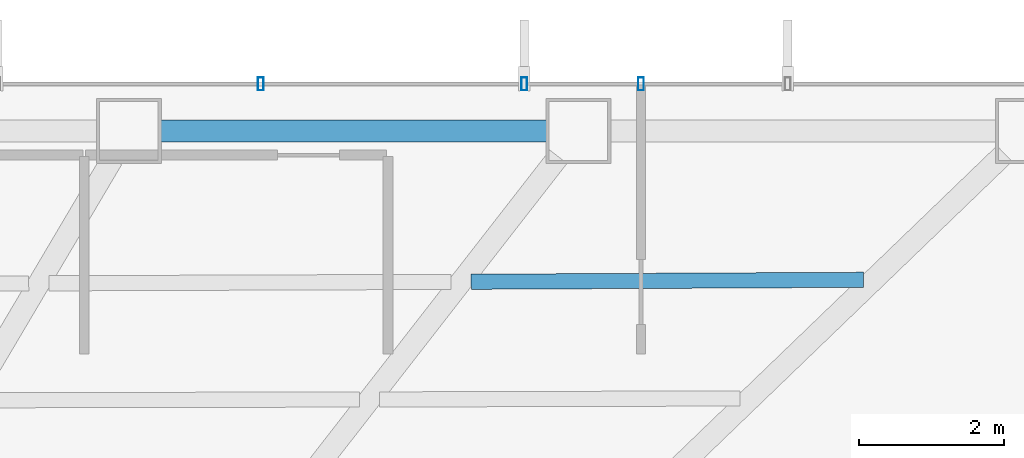
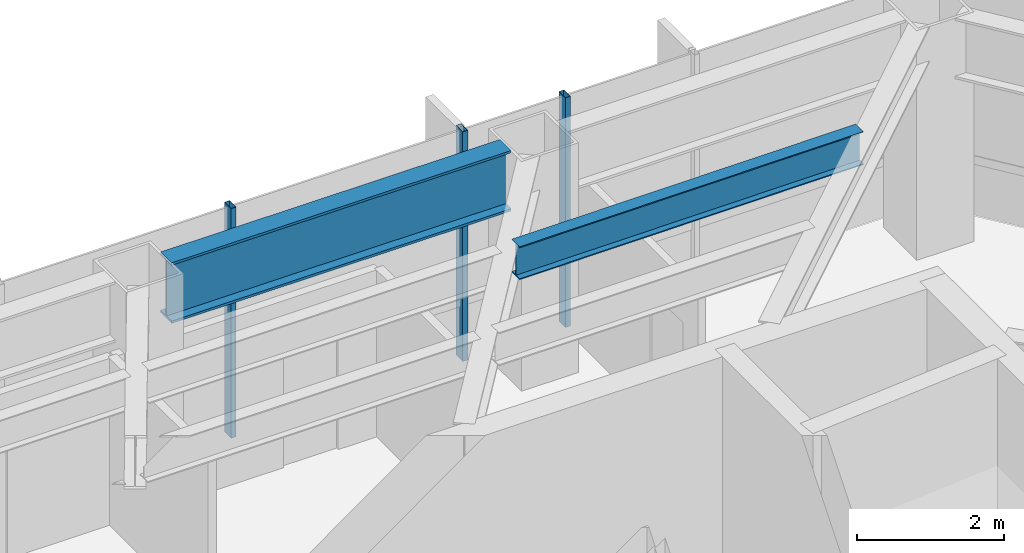
# One storey, part 13 of 24: 3 members, 2 beams, 1 element without a shape of its own.
"""IFC4 building model written with IfcOpenShell, lengths in metres."""

from ifc_helpers import new_model, si_unit, direction, frame, origin, origin_2d, place, context, subcontext, project, spatial, hollow_rectangle, i_section, extrude, material, layer, layer_set, material_profile, profile_set, type_object, element, aggregate, save


model = new_model("IFC4")

# Units and contexts
model_context = context("Model", 3, precision=1e-05, world=origin(), true_north=direction((0.0, 1.0)))
body_context = subcontext(model_context, "Body", "Model", "MODEL_VIEW")
ifc_project = project(units=[si_unit("LENGTHUNIT", "METRE"), si_unit("AREAUNIT", "SQUARE_METRE"), si_unit("VOLUMEUNIT", "CUBIC_METRE"), si_unit("PLANEANGLEUNIT", "RADIAN"), si_unit("MASSUNIT", "GRAM", prefix="KILO")], contexts=[model_context])

# Site, building, storey
site_placement = place(None, origin())
site = spatial("IfcSite", under=ifc_project, at=site_placement, CompositionType="ELEMENT")
building_placement = place(site_placement, origin())
building = spatial("IfcBuilding", under=site, at=building_placement, Name="Zarrinselat Tower", CompositionType="ELEMENT")
storey_placement = place(building_placement, frame((0.0, 0.0, 72.419921875)))
storey = spatial("IfcBuildingStorey", under=building, at=storey_placement, Name="L17", CompositionType="ELEMENT", Elevation=72.419921875)

# Beams
ifc_material_1 = material(Name="Steel S460M", Category="steel")
ifc_material_profile_1 = material_profile(ifc_material_1, i_section(OverallWidth=0.302001953125, OverallDepth=1.008056640625, WebThickness=0.02099609375, FlangeThickness=0.0400390625, at=origin_2d()), Name="HEM 1000")
ifc_profile_set_1 = profile_set([ifc_material_profile_1], Name="Steel S460M")
beam_type_1 = type_object("IfcBeamType", Name="BM-HEM1000", PredefinedType="BEAM", material=ifc_profile_set_1)
beam_1_placement = place(storey_placement, frame((39.455078125, 49.083251953125, 3.316162109375), z_axis=(1.0, 0.0, 0.0), x_axis=(0.0, 1.0, 0.0)))
element("IfcBeam", 1, at=beam_1_placement, inside=storey, type_object=beam_type_1, Name="L17 Perimeter Spandrel Girder SP02", PredefinedType="BEAM", context=body_context, shape_type="SweptSolid", body=[
    extrude(i_section(OverallWidth=0.302001953125, OverallDepth=1.008056640625, WebThickness=0.02099609375, FlangeThickness=0.0400390625, at=origin_2d()), origin(), (0.0, 0.0, 1.0), 5.342041015625),
])
ifc_material_2 = material(Name="Steel S355J2", Category="steel")
ifc_material_profile_2 = material_profile(ifc_material_2, i_section(OverallWidth=0.2099609375, OverallDepth=0.550048828125, WebThickness=0.010986328125, FlangeThickness=0.01708984375, at=origin_2d()), Name="IPE 550")
ifc_profile_set_2 = profile_set([ifc_material_profile_2], Name="Steel S355J2")
beam_type_2 = type_object("IfcBeamType", Name="BM-IPE550", PredefinedType="JOIST", material=ifc_profile_set_2)
beam_2_placement = place(storey_placement, frame((43.751953125, 46.997802734375, 3.545166015625), z_axis=(0.999987520479, 0.004995886883, 0.0), x_axis=(-0.004995886883, 0.999987520479, 0.0)))
element("IfcBeam", 2, at=beam_2_placement, inside=storey, type_object=beam_type_2, Name="L17 Composite Floor Joist 7-1", PredefinedType="JOIST", context=body_context, shape_type="SweptSolid", body=[
    extrude(i_section(OverallWidth=0.2099609375, OverallDepth=0.550048828125, WebThickness=0.010986328125, FlangeThickness=0.01708984375, at=origin_2d()), origin(), (0.0, 0.0, 1.0), 5.42431640625),
])

# Curtain wall, members
ifc_material_3 = material(Name="Extruded Aluminium Alloy EN AW-6063 T6", Category="aluminium")
ifc_layer = layer(ifc_material_3, 0.18505859375)
ifc_layer_set = layer_set([ifc_layer], Name="Extruded Aluminium Alloy EN AW-6063 T6")
curtain_wall_type = type_object("IfcCurtainWallType", Name="CWS-OFF", PredefinedType="NOTDEFINED", material=ifc_layer_set)
curtain_wall_placement = place(storey_placement, origin())
curtain_wall = element("IfcCurtainWall", 3, at=curtain_wall_placement, inside=storey, type_object=curtain_wall_type, Name="L17 Unitised Curtain Wall CW-L17-E01", PredefinedType="NOTDEFINED")
ifc_material_4 = material(Name="Extruded Aluminium Alloy EN AW-6063 T6", Category="aluminium")
ifc_material_profile_3 = material_profile(ifc_material_4, hollow_rectangle(XDim=0.080078125, YDim=0.179931640625, WallThickness=0.0048828125, at=origin_2d()), Name="RHS 180x80x5")
ifc_profile_set_3 = profile_set([ifc_material_profile_3], Name="Extruded Aluminium Alloy EN AW-6063 T6")
member_type = type_object("IfcMemberType", Name="MEM-CW-MUL", PredefinedType="MULLION", material=ifc_profile_set_3)
member_1_placement = place(storey_placement, frame((46.10009765625, 49.7333984375, 0.0), z_axis=(0.0, 0.0, 1.0), x_axis=(-1.0, 0.0, 0.0)))
member_1 = element("IfcMember", 4, at=member_1_placement, type_object=member_type, Name="CW-L17-E01 Mullion 2", PredefinedType="MULLION", context=body_context, shape_type="SweptSolid", body=[
    extrude(hollow_rectangle(XDim=0.080078125, YDim=0.179931640625, WallThickness=0.0048828125, at=origin_2d()), origin(), (0.0, 0.0, 1.0), 3.820068359375),
])
member_2_placement = place(storey_placement, frame((44.4853515625, 49.7333984375, 0.0), z_axis=(0.0, 0.0, 1.0), x_axis=(-1.0, 0.0, 0.0)))
member_2 = element("IfcMember", 5, at=member_2_placement, type_object=member_type, Name="CW-L17-E01 Mullion 3", PredefinedType="MULLION", context=body_context, shape_type="SweptSolid", body=[
    extrude(hollow_rectangle(XDim=0.080078125, YDim=0.179931640625, WallThickness=0.0048828125, at=origin_2d()), origin(), (0.0, 0.0, 1.0), 3.820068359375),
])
member_3_placement = place(storey_placement, frame((40.83984375, 49.7333984375, 0.0), z_axis=(0.0, 0.0, 1.0), x_axis=(-1.0, 0.0, 0.0)))
member_3 = element("IfcMember", 6, at=member_3_placement, type_object=member_type, Name="CW-L17-E01 Mullion 4", PredefinedType="MULLION", context=body_context, shape_type="SweptSolid", body=[
    extrude(hollow_rectangle(XDim=0.080078125, YDim=0.179931640625, WallThickness=0.0048828125, at=origin_2d()), origin(), (0.0, 0.0, 1.0), 3.820068359375),
])
aggregate(curtain_wall, [member_1, member_2, member_3])

save(model, "model.ifc")
